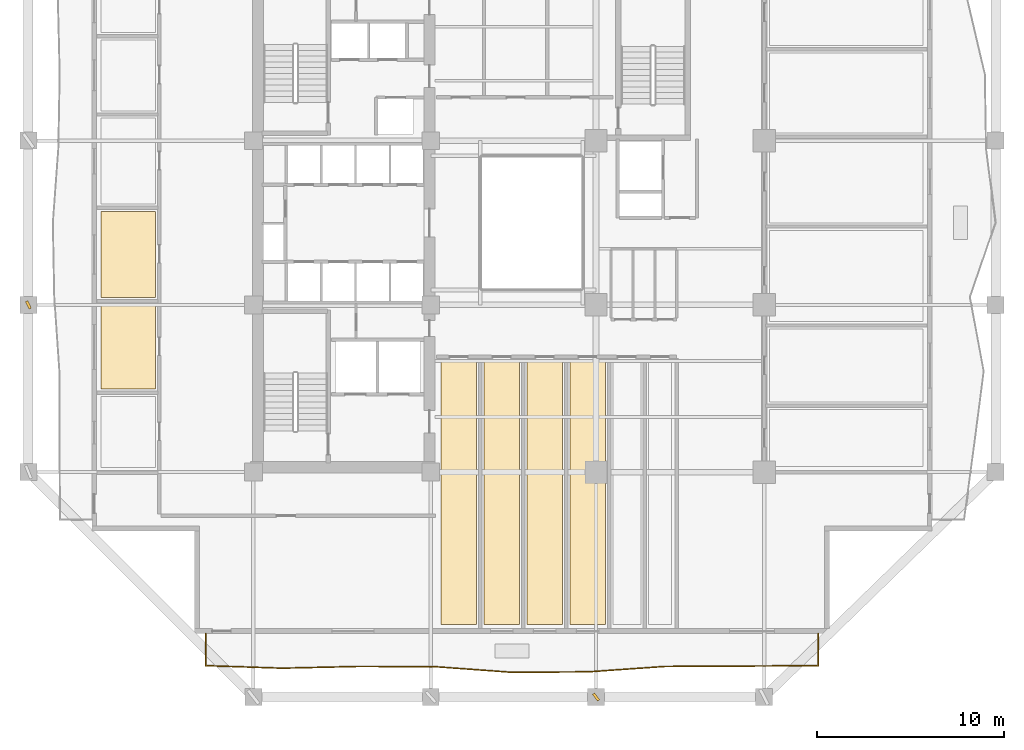
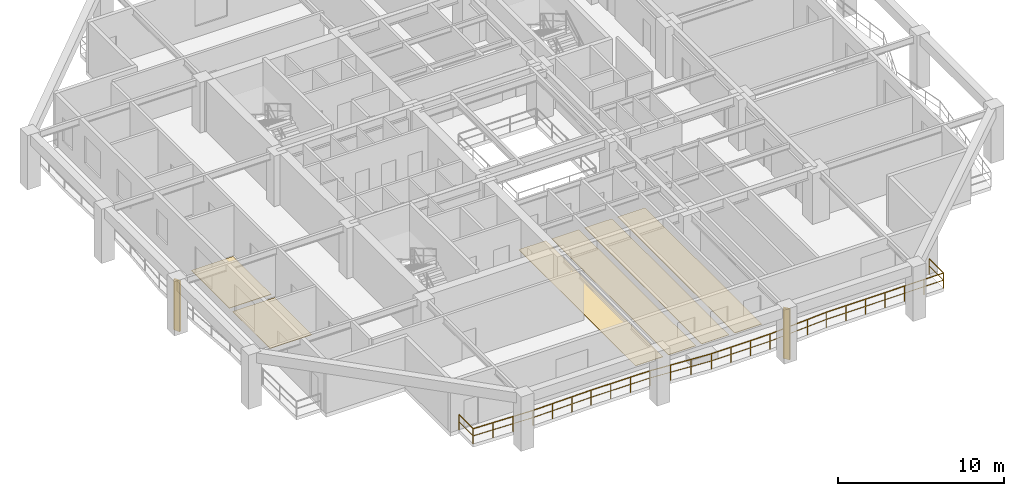
# One storey, part 9 of 14: 6 coverings, 2 shading devices, 1 railing.
"""IFC4 building model written with IfcOpenShell, lengths in metres."""

from ifc_helpers import new_model, si_unit, direction, frame, origin, origin_2d, place, context, subcontext, project, spatial, polyline, rectangle, outline, extrude, material, layer, layer_set, type_object, element, save


model = new_model("IFC4")

# Units and contexts
model_context = context("Model", 3, precision=1e-05, world=origin(), true_north=direction((0.0, 1.0)))
body_context = subcontext(model_context, "Body", "Model", "MODEL_VIEW")
ifc_project = project(units=[si_unit("LENGTHUNIT", "METRE"), si_unit("AREAUNIT", "SQUARE_METRE"), si_unit("VOLUMEUNIT", "CUBIC_METRE"), si_unit("PLANEANGLEUNIT", "RADIAN"), si_unit("MASSUNIT", "GRAM", prefix="KILO")], contexts=[model_context])

# Site, building, storey
site_placement = place(None, origin())
site = spatial("IfcSite", under=ifc_project, at=site_placement, CompositionType="ELEMENT")
building_placement = place(site_placement, origin())
building = spatial("IfcBuilding", under=site, at=building_placement, Name="Kundavana Baori Tower", CompositionType="ELEMENT")
storey_placement = place(building_placement, frame((0.0, 0.0, 74.0)))
storey = spatial("IfcBuildingStorey", under=building, at=storey_placement, Name="L17", CompositionType="ELEMENT", Elevation=74.0)

# Coverings
ifc_material_1 = material(Name="Honed Kota Stone and Terrazzo Flooring", Category="masonry")
ifc_layer = layer(ifc_material_1, 0.030029296875, Name="COV-INT-FLR")
ifc_layer_set = layer_set([ifc_layer], Name="Honed Kota Stone and Terrazzo Flooring")
covering_type = type_object("IfcCoveringType", Name="COV-INT-FLR", PredefinedType="FLOORING", material=ifc_layer_set)
covering_1_placement = place(storey_placement, origin())
element("IfcCovering", 1, at=covering_1_placement, inside=storey, type_object=covering_type, Name="L17 Room Finished Stone Flooring 2", PredefinedType="FLOORING", context=body_context, shape_type="SweptSolid", body=[
    extrude(outline(polyline([(7.280029296875, 19.699951171875), (10.199951171875, 19.699951171875), (10.199951171875, 24.199951171875), (7.280029296875, 24.199951171875), (7.280029296875, 19.699951171875)])), origin(), (0.0, 0.0, 1.0), 0.030029296875),
])
covering_2_placement = place(storey_placement, origin())
element("IfcCovering", 2, at=covering_2_placement, inside=storey, type_object=covering_type, Name="L17 Room Finished Stone Flooring 3", PredefinedType="FLOORING", context=body_context, shape_type="SweptSolid", body=[
    extrude(outline(polyline([(7.280029296875, 24.60009765625), (10.199951171875, 24.60009765625), (10.199951171875, 29.199951171875), (7.280029296875, 29.199951171875), (7.280029296875, 24.60009765625)])), origin(), (0.0, 0.0, 1.0), 0.030029296875),
])
covering_3_placement = place(storey_placement, origin())
element("IfcCovering", 3, at=covering_3_placement, inside=storey, type_object=covering_type, Name="L17 Room Finished Stone Flooring 7", PredefinedType="FLOORING", context=body_context, shape_type="SweptSolid", body=[
    extrude(outline(polyline([(25.5, 7.080078125), (27.39990234375, 7.080078125), (27.39990234375, 21.199951171875), (25.5, 21.199951171875), (25.5, 7.080078125)])), origin(), (0.0, 0.0, 1.0), 0.030029296875),
])
covering_4_placement = place(storey_placement, origin())
element("IfcCovering", 4, at=covering_4_placement, inside=storey, type_object=covering_type, Name="L17 Room Finished Stone Flooring 8", PredefinedType="FLOORING", context=body_context, shape_type="SweptSolid", body=[
    extrude(outline(polyline([(27.800048828125, 7.080078125), (29.699951171875, 7.080078125), (29.699951171875, 21.199951171875), (27.800048828125, 21.199951171875), (27.800048828125, 7.080078125)])), origin(), (0.0, 0.0, 1.0), 0.030029296875),
])
covering_5_placement = place(storey_placement, origin())
element("IfcCovering", 5, at=covering_5_placement, inside=storey, type_object=covering_type, Name="L17 Room Finished Stone Flooring 9", PredefinedType="FLOORING", context=body_context, shape_type="SweptSolid", body=[
    extrude(outline(polyline([(30.10009765625, 7.080078125), (32.0, 7.080078125), (32.0, 21.199951171875), (30.10009765625, 21.199951171875), (30.10009765625, 7.080078125)])), origin(), (0.0, 0.0, 1.0), 0.030029296875),
])
covering_6_placement = place(storey_placement, origin())
element("IfcCovering", 6, at=covering_6_placement, inside=storey, type_object=covering_type, Name="L17 Room Finished Stone Flooring 10", PredefinedType="FLOORING", context=body_context, shape_type="SweptSolid", body=[
    extrude(outline(polyline([(32.39990234375, 7.080078125), (34.300048828125, 7.080078125), (34.300048828125, 21.199951171875), (32.39990234375, 21.199951171875), (32.39990234375, 7.080078125)])), origin(), (0.0, 0.0, 1.0), 0.030029296875),
])

# Railing
ifc_material_2 = material(Name="Architectural Patinated Bronze Metalwork")
railing_type = type_object("IfcRailingType", Name="RL-BAL-1150", PredefinedType="BALUSTRADE", material=ifc_material_2)
railing_placement = place(storey_placement, frame((45.699951171875, 6.60009765625, 0.0)))
element("IfcRailing", 7, at=railing_placement, inside=storey, type_object=railing_type, Name="L17 Loggia Balcony Balustrade S", PredefinedType="BALUSTRADE", context=body_context, shape_type="SweptSolid", body=[
    extrude(rectangle(XDim=0.048095703125, YDim=0.048095703125, at=origin_2d()), frame((0.0, 0.0, 1.1259765625), z_axis=(0.0, -1.0, 0.0), x_axis=(1.0, 0.0, 0.0)), (0.0, 0.0, 1.0), 1.72021484375),
    extrude(rectangle(XDim=0.03125, YDim=0.03125, at=origin_2d()), frame((0.0, 0.0, 0.597900390625), z_axis=(0.0, -1.0, 0.0), x_axis=(1.0, 0.0, 0.0)), (0.0, 0.0, 1.0), 1.72021484375),
    extrude(rectangle(XDim=0.048095703125, YDim=0.048095703125, at=origin_2d()), frame((0.0, -1.72021484375, 1.1259765625), z_axis=(-0.999982972359, -0.005835665533, 0.0), x_axis=(0.005835665533, -0.999982972359, 0.0)), (0.0, 0.0, 1.0), 4.099853515625),
    extrude(rectangle(XDim=0.03125, YDim=0.03125, at=origin_2d()), frame((0.0, -1.72021484375, 0.597900390625), z_axis=(-0.999982972359, -0.005835665533, 0.0), x_axis=(0.005835665533, -0.999982972359, 0.0)), (0.0, 0.0, 1.0), 4.099853515625),
    extrude(rectangle(XDim=0.048095703125, YDim=0.048095703125, at=origin_2d()), frame((-4.099853515625, -1.744140625, 1.1259765625), z_axis=(-0.999989214411, -0.004644465805, 0.0), x_axis=(0.004644465805, -0.999989214411, 0.0)), (0.0, 0.0, 1.0), 4.10009765625),
    extrude(rectangle(XDim=0.03125, YDim=0.03125, at=origin_2d()), frame((-4.099853515625, -1.744140625, 0.597900390625), z_axis=(-0.999989214411, -0.004644465805, 0.0), x_axis=(0.004644465805, -0.999989214411, 0.0)), (0.0, 0.0, 1.0), 4.10009765625),
    extrude(rectangle(XDim=0.048095703125, YDim=0.048095703125, at=origin_2d()), frame((-8.199951171875, -1.76318359375, 1.1259765625), z_axis=(-0.997544795905, -0.070031279884, 0.0), x_axis=(0.070031279884, -0.997544795905, 0.0)), (0.0, 0.0, 1.0), 4.110107421875),
    extrude(rectangle(XDim=0.03125, YDim=0.03125, at=origin_2d()), frame((-8.199951171875, -1.76318359375, 0.597900390625), z_axis=(-0.997544795905, -0.070031279884, 0.0), x_axis=(0.070031279884, -0.997544795905, 0.0)), (0.0, 0.0, 1.0), 4.110107421875),
    extrude(rectangle(XDim=0.048095703125, YDim=0.048095703125, at=origin_2d()), frame((-12.300048828125, -2.051025390625, 1.1259765625), z_axis=(-0.999978155347, -0.00660975259, 0.0), x_axis=(0.00660975259, -0.999978155347, 0.0)), (0.0, 0.0, 1.0), 4.099853515625),
    extrude(rectangle(XDim=0.03125, YDim=0.03125, at=origin_2d()), frame((-12.300048828125, -2.051025390625, 0.597900390625), z_axis=(-0.999978155347, -0.00660975259, 0.0), x_axis=(0.00660975259, -0.999978155347, 0.0)), (0.0, 0.0, 1.0), 4.099853515625),
    extrude(rectangle(XDim=0.048095703125, YDim=0.048095703125, at=origin_2d()), frame((-16.39990234375, -2.078125, 1.1259765625), z_axis=(-0.997315666757, 0.07322199697, 0.0), x_axis=(-0.07322199697, -0.997315666757, 0.0)), (0.0, 0.0, 1.0), 4.111083984375),
    extrude(rectangle(XDim=0.03125, YDim=0.03125, at=origin_2d()), frame((-16.39990234375, -2.078125, 0.597900390625), z_axis=(-0.997315666757, 0.07322199697, 0.0), x_axis=(-0.07322199697, -0.997315666757, 0.0)), (0.0, 0.0, 1.0), 4.111083984375),
    extrude(rectangle(XDim=0.048095703125, YDim=0.048095703125, at=origin_2d()), frame((-20.5, -1.777099609375, 1.1259765625), z_axis=(-0.999994239511, 0.00339425187, 0.0), x_axis=(-0.00339425187, -0.999994239511, 0.0)), (0.0, 0.0, 1.0), 4.099853515625),
    extrude(rectangle(XDim=0.03125, YDim=0.03125, at=origin_2d()), frame((-20.5, -1.777099609375, 0.597900390625), z_axis=(-0.999994239511, 0.00339425187, 0.0), x_axis=(-0.00339425187, -0.999994239511, 0.0)), (0.0, 0.0, 1.0), 4.099853515625),
    extrude(rectangle(XDim=0.048095703125, YDim=0.048095703125, at=origin_2d()), frame((-24.599853515625, -1.76318359375, 1.1259765625), z_axis=(-0.999737329062, -0.022918832422, 0.0), x_axis=(0.022918832422, -0.999737329062, 0.0)), (0.0, 0.0, 1.0), 4.10107421875),
    extrude(rectangle(XDim=0.03125, YDim=0.03125, at=origin_2d()), frame((-24.599853515625, -1.76318359375, 0.597900390625), z_axis=(-0.999737329062, -0.022918832422, 0.0), x_axis=(0.022918832422, -0.999737329062, 0.0)), (0.0, 0.0, 1.0), 4.10107421875),
    extrude(rectangle(XDim=0.048095703125, YDim=0.048095703125, at=origin_2d()), frame((-28.699951171875, -1.857177734375, 1.1259765625), z_axis=(-0.9994425266, 0.033386165144, 0.0), x_axis=(-0.033386165144, -0.9994425266, 0.0)), (0.0, 0.0, 1.0), 4.102294921875),
    extrude(rectangle(XDim=0.03125, YDim=0.03125, at=origin_2d()), frame((-28.699951171875, -1.857177734375, 0.597900390625), z_axis=(-0.9994425266, 0.033386165144, 0.0), x_axis=(-0.033386165144, -0.9994425266, 0.0)), (0.0, 0.0, 1.0), 4.102294921875),
    extrude(rectangle(XDim=0.048095703125, YDim=0.048095703125, at=origin_2d()), frame((-32.800048828125, -1.72021484375, 1.1259765625), z_axis=(0.0, 1.0, 0.0), x_axis=(-1.0, 0.0, 0.0)), (0.0, 0.0, 1.0), 1.72021484375),
    extrude(rectangle(XDim=0.03125, YDim=0.03125, at=origin_2d()), frame((-32.800048828125, -1.72021484375, 0.597900390625), z_axis=(0.0, 1.0, 0.0), x_axis=(-1.0, 0.0, 0.0)), (0.0, 0.0, 1.0), 1.72021484375),
    extrude(rectangle(XDim=0.0419921875, YDim=0.0419921875, at=origin_2d()), origin(), (0.0, 0.0, 1.0), 1.101806640625),
    extrude(rectangle(XDim=0.0419921875, YDim=0.0419921875, at=origin_2d()), frame((0.0, -1.72021484375, 0.0)), (0.0, 0.0, 1.0), 1.101806640625),
    extrude(rectangle(XDim=0.0419921875, YDim=0.0419921875, at=origin_2d()), frame((-1.36669921875, -1.728271484375, 0.0)), (0.0, 0.0, 1.0), 1.101806640625),
    extrude(rectangle(XDim=0.0419921875, YDim=0.0419921875, at=origin_2d()), frame((-2.733154296875, -1.736083984375, 0.0)), (0.0, 0.0, 1.0), 1.101806640625),
    extrude(rectangle(XDim=0.0419921875, YDim=0.0419921875, at=origin_2d()), frame((-4.099853515625, -1.744140625, 0.0)), (0.0, 0.0, 1.0), 1.101806640625),
    extrude(rectangle(XDim=0.0419921875, YDim=0.0419921875, at=origin_2d()), frame((-5.466552734375, -1.75048828125, 0.0)), (0.0, 0.0, 1.0), 1.101806640625),
    extrude(rectangle(XDim=0.0419921875, YDim=0.0419921875, at=origin_2d()), frame((-6.833251953125, -1.7568359375, 0.0)), (0.0, 0.0, 1.0), 1.101806640625),
    extrude(rectangle(XDim=0.0419921875, YDim=0.0419921875, at=origin_2d()), frame((-8.199951171875, -1.76318359375, 0.0)), (0.0, 0.0, 1.0), 1.101806640625),
    extrude(rectangle(XDim=0.0419921875, YDim=0.0419921875, at=origin_2d()), frame((-9.566650390625, -1.859130859375, 0.0)), (0.0, 0.0, 1.0), 1.101806640625),
    extrude(rectangle(XDim=0.0419921875, YDim=0.0419921875, at=origin_2d()), frame((-10.933349609375, -1.955078125, 0.0)), (0.0, 0.0, 1.0), 1.101806640625),
    extrude(rectangle(XDim=0.0419921875, YDim=0.0419921875, at=origin_2d()), frame((-12.300048828125, -2.051025390625, 0.0)), (0.0, 0.0, 1.0), 1.101806640625),
    extrude(rectangle(XDim=0.0419921875, YDim=0.0419921875, at=origin_2d()), frame((-13.666748046875, -2.06005859375, 0.0)), (0.0, 0.0, 1.0), 1.101806640625),
    extrude(rectangle(XDim=0.0419921875, YDim=0.0419921875, at=origin_2d()), frame((-15.033203125, -2.069091796875, 0.0)), (0.0, 0.0, 1.0), 1.101806640625),
    extrude(rectangle(XDim=0.0419921875, YDim=0.0419921875, at=origin_2d()), frame((-16.39990234375, -2.078125, 0.0)), (0.0, 0.0, 1.0), 1.101806640625),
    extrude(rectangle(XDim=0.0419921875, YDim=0.0419921875, at=origin_2d()), frame((-17.7666015625, -1.977783203125, 0.0)), (0.0, 0.0, 1.0), 1.101806640625),
    extrude(rectangle(XDim=0.0419921875, YDim=0.0419921875, at=origin_2d()), frame((-19.13330078125, -1.87744140625, 0.0)), (0.0, 0.0, 1.0), 1.101806640625),
    extrude(rectangle(XDim=0.0419921875, YDim=0.0419921875, at=origin_2d()), frame((-20.5, -1.777099609375, 0.0)), (0.0, 0.0, 1.0), 1.101806640625),
    extrude(rectangle(XDim=0.0419921875, YDim=0.0419921875, at=origin_2d()), frame((-21.86669921875, -1.7724609375, 0.0)), (0.0, 0.0, 1.0), 1.101806640625),
    extrude(rectangle(XDim=0.0419921875, YDim=0.0419921875, at=origin_2d()), frame((-23.233154296875, -1.767822265625, 0.0)), (0.0, 0.0, 1.0), 1.101806640625),
    extrude(rectangle(XDim=0.0419921875, YDim=0.0419921875, at=origin_2d()), frame((-24.599853515625, -1.76318359375, 0.0)), (0.0, 0.0, 1.0), 1.101806640625),
    extrude(rectangle(XDim=0.0419921875, YDim=0.0419921875, at=origin_2d()), frame((-25.966552734375, -1.79443359375, 0.0)), (0.0, 0.0, 1.0), 1.101806640625),
    extrude(rectangle(XDim=0.0419921875, YDim=0.0419921875, at=origin_2d()), frame((-27.333251953125, -1.825927734375, 0.0)), (0.0, 0.0, 1.0), 1.101806640625),
    extrude(rectangle(XDim=0.0419921875, YDim=0.0419921875, at=origin_2d()), frame((-28.699951171875, -1.857177734375, 0.0)), (0.0, 0.0, 1.0), 1.101806640625),
    extrude(rectangle(XDim=0.0419921875, YDim=0.0419921875, at=origin_2d()), frame((-30.066650390625, -1.8115234375, 0.0)), (0.0, 0.0, 1.0), 1.101806640625),
    extrude(rectangle(XDim=0.0419921875, YDim=0.0419921875, at=origin_2d()), frame((-31.433349609375, -1.765869140625, 0.0)), (0.0, 0.0, 1.0), 1.101806640625),
    extrude(rectangle(XDim=0.0419921875, YDim=0.0419921875, at=origin_2d()), frame((-32.800048828125, -1.72021484375, 0.0)), (0.0, 0.0, 1.0), 1.101806640625),
    extrude(rectangle(XDim=0.0419921875, YDim=0.0419921875, at=origin_2d()), frame((-32.800048828125, 0.0, 0.0)), (0.0, 0.0, 1.0), 1.101806640625),
])

# Shading devices
ifc_material_3 = material(Name="Architectural Patinated Bronze Metalwork")
shading_device_type = type_object("IfcShadingDeviceType", Name="SHD-LOUV-450", PredefinedType="SHUTTER", material=ifc_material_3)
for number, where, z_axis, x_axis, name in (
    (8, (33.800048828125, 3.199951171875, 0.0), (0.0, 0.0, 1.0), (0.803129547743, 0.595804439009, 0.0), "L17 Sweeping Dholpur Sandstone Facade Fin 3"),
    (9, (3.39990234375, 24.199951171875, 0.0), (0.0, 0.0, 1.0), (0.897104200397, 0.441819028143, 0.0), "L17 Sweeping Dholpur Sandstone Facade Fin 6"),
):
    element("IfcShadingDevice", number, at=place(storey_placement, frame(where, z_axis=z_axis, x_axis=x_axis)), inside=storey, type_object=shading_device_type, Name=name, PredefinedType="SHUTTER", context=body_context, shape_type="SweptSolid", body=[
        extrude(rectangle(XDim=0.139892578125, YDim=0.449951171875, at=origin_2d()), origin(), (0.0, 0.0, 1.0), 3.719970703125),
    ])

save(model, "model.ifc")
